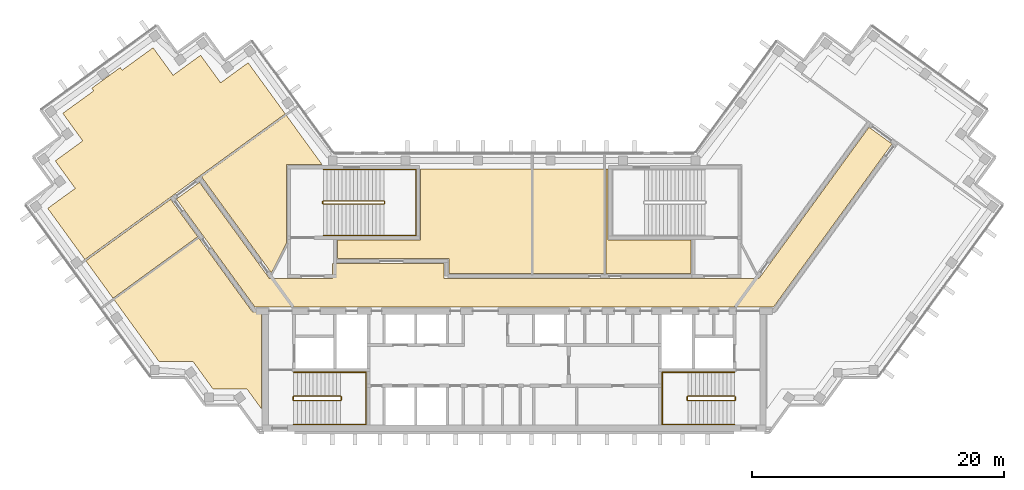
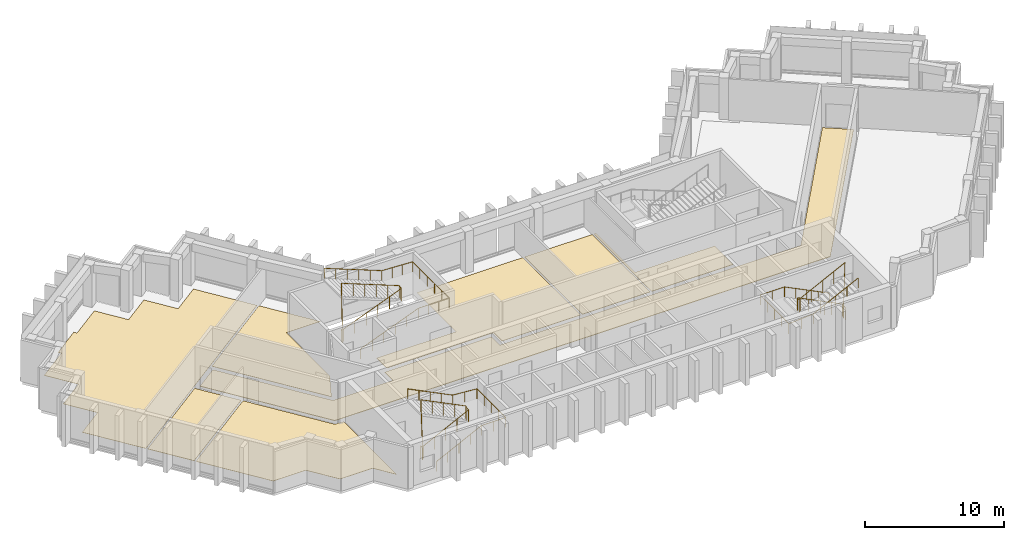
# One storey, part 8 of 9: 8 coverings, 6 railings.
"""IFC4 building model written with IfcOpenShell, lengths in metres."""

from ifc_helpers import new_model, si_unit, direction, frame, origin, origin_2d, place, context, subcontext, project, spatial, polyline, circle, outline, extrude, material, layer, layer_set, type_object, element, save


model = new_model("IFC4")

# Units and contexts
model_context = context("Model", 3, precision=1e-05, world=origin(), true_north=direction((0.0, 1.0)))
body_context = subcontext(model_context, "Body", "Model", "MODEL_VIEW")
ifc_project = project(units=[si_unit("LENGTHUNIT", "METRE"), si_unit("AREAUNIT", "SQUARE_METRE"), si_unit("VOLUMEUNIT", "CUBIC_METRE"), si_unit("PLANEANGLEUNIT", "RADIAN"), si_unit("MASSUNIT", "GRAM", prefix="KILO")], contexts=[model_context])

# Site, building, storey
site_placement = place(None, origin())
site = spatial("IfcSite", under=ifc_project, at=site_placement, CompositionType="ELEMENT")
building_placement = place(site_placement, origin())
building = spatial("IfcBuilding", under=site, at=building_placement, Name="Quipu Civic Tower", CompositionType="ELEMENT")
storey_placement = place(building_placement, frame((0.0, 0.0, 293.0)))
storey = spatial("IfcBuildingStorey", under=building, at=storey_placement, Name="L68", CompositionType="ELEMENT", Elevation=293.0)

# Coverings
ifc_material_1 = material(Name="Carpet tile on raised access floor")
ifc_layer_1 = layer(ifc_material_1, 0.02001953125)
ifc_layer_set_1 = layer_set([ifc_layer_1], Name="Carpet tile on raised access floor")
covering_type_1 = type_object("IfcCoveringType", Name="Carpet tile floor finish 20", PredefinedType="FLOORING", material=ifc_layer_set_1)
covering_1_placement = place(storey_placement, origin())
element("IfcCovering", 1, at=covering_1_placement, inside=storey, type_object=covering_type_1, Name="Carpet tile floor finish 20", PredefinedType="FLOORING", context=body_context, shape_type="SweptSolid", body=[
    extrude(outline(polyline([(-24.81201171875, 9.2109375), (-18.089111328125, 14.093994140625), (-15.238037109375, 10.169921875), (-18.070068359375, 10.1689453125), (-18.070068359375, 3.94189453125), (-19.27197265625, 1.583984375), (-24.81201171875, 9.2109375)])), origin(), (0.0, 0.0, 1.0), 0.02001953125),
])
covering_2_placement = place(storey_placement, origin())
element("IfcCovering", 2, at=covering_2_placement, inside=storey, type_object=covering_type_1, Name="Carpet tile floor finish 20", PredefinedType="FLOORING", context=body_context, shape_type="SweptSolid", body=[
    extrude(outline(polyline([(-31.758056640625, -0.5390625), (-25.034912109375, 4.344970703125), (-20.77490234375, -1.51904296875), (-20.070068359375, -1.52001953125), (-20.070068359375, -9.195068359375), (-21.196044921875, -7.64599609375), (-23.89501953125, -7.64599609375), (-25.48193359375, -5.4619140625), (-28.181884765625, -5.4609375), (-31.758056640625, -0.5390625)])), origin(), (0.0, 0.0, 1.0), 0.02001953125),
])
covering_3_placement = place(storey_placement, origin())
element("IfcCovering", 3, at=covering_3_placement, inside=storey, type_object=covering_type_1, Name="Carpet tile floor finish 20", PredefinedType="FLOORING", context=body_context, shape_type="SweptSolid", body=[
    extrude(outline(polyline([(-14.030029296875, 2.719970703125), (-14.030029296875, 4.179931640625), (-7.430908203125, 4.180908203125), (-7.429931640625, 9.830078125), (1.368896484375, 9.830078125), (1.368896484375, 1.52001953125), (-5.179931640625, 1.52001953125), (-5.181884765625, 2.719970703125), (-14.030029296875, 2.719970703125)])), origin(), (0.0, 0.0, 1.0), 0.02001953125),
])
covering_4_placement = place(storey_placement, origin())
element("IfcCovering", 4, at=covering_4_placement, inside=storey, type_object=covering_type_1, Name="Carpet tile floor finish 20", PredefinedType="FLOORING", context=body_context, shape_type="SweptSolid", body=[
    extrude(outline(polyline([(-37.02197265625, 6.7060546875), (-34.839111328125, 8.291015625), (-36.425048828125, 10.47607421875), (-34.240966796875, 12.06396484375), (-35.826904296875, 14.248046875), (-33.3701171875, 16.032958984375), (-33.52197265625, 16.2451171875), (-31.27099609375, 17.8798828125), (-31.116943359375, 17.6708984375), (-28.658935546875, 19.455078125), (-27.073974609375, 17.27197265625), (-24.887939453125, 18.85791015625), (-23.301025390625, 16.675048828125), (-21.116943359375, 18.260986328125), (-18.172119140625, 14.20703125), (-34.077880859375, 2.652099609375), (-37.02197265625, 6.7060546875)])), origin(), (0.0, 0.0, 1.0), 0.02001953125),
])
ifc_material_2 = material(Name="Ceramic floor tile")
ifc_layer_2 = layer(ifc_material_2, 0.030029296875)
ifc_layer_set_2 = layer_set([ifc_layer_2], Name="Ceramic floor tile")
covering_type_2 = type_object("IfcCoveringType", Name="Ceramic tile floor finish 30", PredefinedType="FLOORING", material=ifc_layer_set_2)
covering_5_placement = place(storey_placement, origin())
element("IfcCovering", 5, at=covering_5_placement, inside=storey, type_object=covering_type_2, Name="Ceramic tile floor finish 30", PredefinedType="FLOORING", context=body_context, shape_type="SweptSolid", body=[
    extrude(outline(polyline([(1.510009765625, 9.830078125), (7.1279296875, 9.830078125), (7.1279296875, 1.52001953125), (1.510009765625, 1.52001953125), (1.510009765625, 9.830078125)])), origin(), (0.0, 0.0, 1.0), 0.030029296875),
])
covering_6_placement = place(storey_placement, origin())
element("IfcCovering", 6, at=covering_6_placement, inside=storey, type_object=covering_type_2, Name="Ceramic tile floor finish 30", PredefinedType="FLOORING", context=body_context, shape_type="SweptSolid", body=[
    extrude(outline(polyline([(7.26806640625, 1.52001953125), (7.26806640625, 9.830078125), (7.429931640625, 9.830078125), (7.429931640625, 4.180908203125), (14.030029296875, 4.179931640625), (14.030029296875, 1.52001953125), (7.26806640625, 1.52001953125)])), origin(), (0.0, 0.0, 1.0), 0.030029296875),
])
covering_7_placement = place(storey_placement, origin())
element("IfcCovering", 7, at=covering_7_placement, inside=storey, type_object=covering_type_2, Name="Ceramic tile floor finish 30", PredefinedType="FLOORING", context=body_context, shape_type="SweptSolid", body=[
    extrude(outline(polyline([(-33.9951171875, 2.5390625), (-27.27197265625, 7.423095703125), (-25.117919921875, 4.4580078125), (-31.841064453125, -0.426025390625), (-33.9951171875, 2.5390625)])), origin(), (0.0, 0.0, 1.0), 0.030029296875),
])

# Railings
ifc_material_3 = material(Name="Stainless steel", Category="steel")
railing_type_1 = type_object("IfcRailingType", Name="Stair guard 1100", PredefinedType="GUARDRAIL", material=ifc_material_3)
railing_1_placement = place(storey_placement, frame((-17.5, -8.550048828125, 0.15380859375)))
element("IfcRailing", 8, at=railing_1_placement, inside=storey, type_object=railing_type_1, Name="Stair 1 guard", PredefinedType="GUARDRAIL", context=body_context, shape_type="SweptSolid", body=[
    extrude(circle(Radius=0.02392578125, at=origin_2d()), frame((0.0, 0.0, 1.076171875), z_axis=(0.895751851347, 0.0, 0.444554407028), x_axis=(0.0, 1.0, 0.0)), (0.0, 0.0, 1.0), 4.15283203125),
    extrude(circle(Radius=0.02392578125, at=origin_2d()), frame((3.719970703125, 0.0, 2.92236328125), z_axis=(0.707106781187, 0.707106781187, 0.0), x_axis=(-0.707106781187, 0.707106781187, 0.0)), (0.0, 0.0, 1.0), 0.07080078125),
    extrude(circle(Radius=0.02392578125, at=origin_2d()), frame((3.77001953125, 0.050048828125, 2.92236328125), z_axis=(0.0, 1.0, 0.0), x_axis=(-1.0, 0.0, 0.0)), (0.0, 0.0, 1.0), 0.25),
    extrude(circle(Radius=0.02392578125, at=origin_2d()), frame((3.77001953125, 0.300048828125, 2.92236328125), z_axis=(-0.295599637079, 0.295599637079, 0.908428152975), x_axis=(-0.707106781187, -0.707106781187, 0.0)), (0.0, 0.0, 1.0), 0.16943359375),
    extrude(circle(Radius=0.02392578125, at=origin_2d()), frame((3.719970703125, 0.35009765625, 3.076171875), z_axis=(-0.895751851347, 0.0, 0.444554407028), x_axis=(0.0, -1.0, 0.0)), (0.0, 0.0, 1.0), 4.15283203125),
    extrude(circle(Radius=0.02392578125, at=origin_2d()), frame((0.0, 0.35009765625, 4.92236328125), z_axis=(-0.012476181752, -0.074796231092, -0.997120789425), x_axis=(0.986372223864, -0.164529134168, 0.0)), (0.0, 0.0, 1.0), 4.011474609375),
    extrude(circle(Radius=0.02392578125, at=origin_2d()), frame((-0.050048828125, 0.050048828125, 0.92236328125), z_axis=(0.0, 1.0, 0.0), x_axis=(-1.0, 0.0, 0.0)), (0.0, 0.0, 1.0), 0.25),
    extrude(circle(Radius=0.02099609375, at=origin_2d()), origin(), (0.0, 0.0, 1.0), 1.052001953125),
    extrude(circle(Radius=0.02099609375, at=origin_2d()), frame((0.929931640625, 0.0, 0.46142578125)), (0.0, 0.0, 1.0), 1.052001953125),
    extrude(circle(Radius=0.02099609375, at=origin_2d()), frame((1.85986328125, 0.0, 0.923095703125)), (0.0, 0.0, 1.0), 1.052001953125),
    extrude(circle(Radius=0.02099609375, at=origin_2d()), frame((2.7900390625, 0.0, 1.384765625)), (0.0, 0.0, 1.0), 1.052001953125),
    extrude(circle(Radius=0.02099609375, at=origin_2d()), frame((3.719970703125, 0.0, 1.84619140625)), (0.0, 0.0, 1.0), 1.052001953125),
    extrude(circle(Radius=0.02099609375, at=origin_2d()), frame((3.77001953125, 0.050048828125, 1.84619140625)), (0.0, 0.0, 1.0), 1.052001953125),
    extrude(circle(Radius=0.02099609375, at=origin_2d()), frame((3.77001953125, 0.300048828125, 1.84619140625)), (0.0, 0.0, 1.0), 1.052001953125),
    extrude(circle(Radius=0.02099609375, at=origin_2d()), frame((3.719970703125, 0.35009765625, 2.0)), (0.0, 0.0, 1.0), 1.052001953125),
    extrude(circle(Radius=0.02099609375, at=origin_2d()), frame((2.7900390625, 0.35009765625, 2.46142578125)), (0.0, 0.0, 1.0), 1.052001953125),
    extrude(circle(Radius=0.02099609375, at=origin_2d()), frame((1.85986328125, 0.35009765625, 2.923095703125)), (0.0, 0.0, 1.0), 1.052001953125),
    extrude(circle(Radius=0.02099609375, at=origin_2d()), frame((0.929931640625, 0.35009765625, 3.384765625)), (0.0, 0.0, 1.0), 1.052001953125),
    extrude(circle(Radius=0.02099609375, at=origin_2d()), frame((0.0, 0.35009765625, 3.84619140625)), (0.0, 0.0, 1.0), 1.052001953125),
    extrude(circle(Radius=0.02099609375, at=origin_2d()), frame((-0.012451171875, 0.275146484375, 2.84619140625)), (0.0, 0.0, 1.0), 1.052001953125),
    extrude(circle(Radius=0.02099609375, at=origin_2d()), frame((-0.02490234375, 0.2001953125, 1.84619140625)), (0.0, 0.0, 1.0), 1.052001953125),
    extrude(circle(Radius=0.02099609375, at=origin_2d()), frame((-0.03759765625, 0.125, 0.84619140625)), (0.0, 0.0, 1.0), 1.052001953125),
    extrude(circle(Radius=0.02099609375, at=origin_2d()), frame((-0.050048828125, 0.050048828125, -0.15380859375)), (0.0, 0.0, 1.0), 1.052001953125),
    extrude(circle(Radius=0.02099609375, at=origin_2d()), frame((-0.050048828125, 0.300048828125, -0.15380859375)), (0.0, 0.0, 1.0), 1.052001953125),
])
railing_2_placement = place(storey_placement, frame((17.5, -8.199951171875, 0.15380859375)))
element("IfcRailing", 9, at=railing_2_placement, inside=storey, type_object=railing_type_1, Name="Stair 2 guard", PredefinedType="GUARDRAIL", context=body_context, shape_type="SweptSolid", body=[
    extrude(circle(Radius=0.02392578125, at=origin_2d()), frame((0.0, 0.0, 1.076171875), z_axis=(-0.895751851347, 0.0, 0.444554407028), x_axis=(0.0, -1.0, 0.0)), (0.0, 0.0, 1.0), 4.15283203125),
    extrude(circle(Radius=0.02392578125, at=origin_2d()), frame((-3.719970703125, 0.0, 2.92236328125), z_axis=(-0.707106781187, -0.707106781187, 0.0), x_axis=(0.707106781187, -0.707106781187, 0.0)), (0.0, 0.0, 1.0), 0.07080078125),
    extrude(circle(Radius=0.02392578125, at=origin_2d()), frame((-3.77001953125, -0.050048828125, 2.92236328125), z_axis=(0.0, -1.0, 0.0), x_axis=(1.0, 0.0, 0.0)), (0.0, 0.0, 1.0), 0.25),
    extrude(circle(Radius=0.02392578125, at=origin_2d()), frame((-3.77001953125, -0.300048828125, 2.92236328125), z_axis=(0.295599637079, -0.295599637079, 0.908428152975), x_axis=(0.707106781187, 0.707106781187, 0.0)), (0.0, 0.0, 1.0), 0.16943359375),
    extrude(circle(Radius=0.02392578125, at=origin_2d()), frame((-3.719970703125, -0.35009765625, 3.076171875), z_axis=(0.895751851347, 0.0, 0.444554407028), x_axis=(0.0, 1.0, 0.0)), (0.0, 0.0, 1.0), 4.15283203125),
    extrude(circle(Radius=0.02392578125, at=origin_2d()), frame((0.0, -0.35009765625, 4.92236328125), z_axis=(0.012476181752, 0.074796231092, -0.997120789425), x_axis=(-0.986372223864, 0.164529134168, 0.0)), (0.0, 0.0, 1.0), 4.011474609375),
    extrude(circle(Radius=0.02392578125, at=origin_2d()), frame((0.050048828125, -0.050048828125, 0.92236328125), z_axis=(0.0, -1.0, 0.0), x_axis=(1.0, 0.0, 0.0)), (0.0, 0.0, 1.0), 0.25),
    extrude(circle(Radius=0.02099609375, at=origin_2d()), origin(), (0.0, 0.0, 1.0), 1.052001953125),
    extrude(circle(Radius=0.02099609375, at=origin_2d()), frame((-0.929931640625, 0.0, 0.46142578125)), (0.0, 0.0, 1.0), 1.052001953125),
    extrude(circle(Radius=0.02099609375, at=origin_2d()), frame((-1.85986328125, 0.0, 0.923095703125)), (0.0, 0.0, 1.0), 1.052001953125),
    extrude(circle(Radius=0.02099609375, at=origin_2d()), frame((-2.7900390625, 0.0, 1.384765625)), (0.0, 0.0, 1.0), 1.052001953125),
    extrude(circle(Radius=0.02099609375, at=origin_2d()), frame((-3.719970703125, 0.0, 1.84619140625)), (0.0, 0.0, 1.0), 1.052001953125),
    extrude(circle(Radius=0.02099609375, at=origin_2d()), frame((-3.77001953125, -0.050048828125, 1.84619140625)), (0.0, 0.0, 1.0), 1.052001953125),
    extrude(circle(Radius=0.02099609375, at=origin_2d()), frame((-3.77001953125, -0.300048828125, 1.84619140625)), (0.0, 0.0, 1.0), 1.052001953125),
    extrude(circle(Radius=0.02099609375, at=origin_2d()), frame((-3.719970703125, -0.35009765625, 2.0)), (0.0, 0.0, 1.0), 1.052001953125),
    extrude(circle(Radius=0.02099609375, at=origin_2d()), frame((-2.7900390625, -0.35009765625, 2.46142578125)), (0.0, 0.0, 1.0), 1.052001953125),
    extrude(circle(Radius=0.02099609375, at=origin_2d()), frame((-1.85986328125, -0.35009765625, 2.923095703125)), (0.0, 0.0, 1.0), 1.052001953125),
    extrude(circle(Radius=0.02099609375, at=origin_2d()), frame((-0.929931640625, -0.35009765625, 3.384765625)), (0.0, 0.0, 1.0), 1.052001953125),
    extrude(circle(Radius=0.02099609375, at=origin_2d()), frame((0.0, -0.35009765625, 3.84619140625)), (0.0, 0.0, 1.0), 1.052001953125),
    extrude(circle(Radius=0.02099609375, at=origin_2d()), frame((0.012451171875, -0.275146484375, 2.84619140625)), (0.0, 0.0, 1.0), 1.052001953125),
    extrude(circle(Radius=0.02099609375, at=origin_2d()), frame((0.02490234375, -0.2001953125, 1.84619140625)), (0.0, 0.0, 1.0), 1.052001953125),
    extrude(circle(Radius=0.02099609375, at=origin_2d()), frame((0.03759765625, -0.125, 0.84619140625)), (0.0, 0.0, 1.0), 1.052001953125),
    extrude(circle(Radius=0.02099609375, at=origin_2d()), frame((0.050048828125, -0.050048828125, -0.15380859375)), (0.0, 0.0, 1.0), 1.052001953125),
    extrude(circle(Radius=0.02099609375, at=origin_2d()), frame((0.050048828125, -0.300048828125, -0.15380859375)), (0.0, 0.0, 1.0), 1.052001953125),
])
railing_3_placement = place(storey_placement, frame((-15.14990234375, 7.050048828125, 0.11767578125)))
element("IfcRailing", 10, at=railing_3_placement, inside=storey, type_object=railing_type_1, Name="Stair 3 guard", PredefinedType="GUARDRAIL", context=body_context, shape_type="SweptSolid", body=[
    extrude(circle(Radius=0.02392578125, at=origin_2d()), frame((0.0, 0.0, 1.076171875), z_axis=(0.930970042603, 0.0, 0.365095576219), x_axis=(0.0, 1.0, 0.0)), (0.0, 0.0, 1.0), 5.15576171875),
    extrude(circle(Radius=0.02392578125, at=origin_2d()), frame((4.7998046875, 0.0, 2.95849609375), z_axis=(0.707106781187, 0.707106781187, 0.0), x_axis=(-0.707106781187, 0.707106781187, 0.0)), (0.0, 0.0, 1.0), 0.07080078125),
    extrude(circle(Radius=0.02392578125, at=origin_2d()), frame((4.849853515625, 0.050048828125, 2.95849609375), z_axis=(0.0, 1.0, 0.0), x_axis=(-1.0, 0.0, 0.0)), (0.0, 0.0, 1.0), 0.14990234375),
    extrude(circle(Radius=0.02392578125, at=origin_2d()), frame((4.849853515625, 0.199951171875, 2.95849609375), z_axis=(-0.364463019033, 0.364463019033, 0.856932561824), x_axis=(-0.707106781187, -0.707106781187, 0.0)), (0.0, 0.0, 1.0), 0.13720703125),
    extrude(circle(Radius=0.02392578125, at=origin_2d()), frame((4.7998046875, 0.25, 3.076171875), z_axis=(-0.930970042603, 0.0, 0.365095576219), x_axis=(0.0, -1.0, 0.0)), (0.0, 0.0, 1.0), 5.15576171875),
    extrude(circle(Radius=0.02392578125, at=origin_2d()), frame((0.0, 0.25, 4.95849609375), z_axis=(-0.012495627992, -0.049921557685, -0.998674970829), x_axis=(0.970072785993, -0.242814311512, 0.0)), (0.0, 0.0, 1.0), 4.00537109375),
    extrude(circle(Radius=0.02392578125, at=origin_2d()), frame((-0.050048828125, 0.050048828125, 0.95849609375), z_axis=(0.0, 1.0, 0.0), x_axis=(-1.0, 0.0, 0.0)), (0.0, 0.0, 1.0), 0.14990234375),
    extrude(circle(Radius=0.02099609375, at=origin_2d()), origin(), (0.0, 0.0, 1.0), 1.052001953125),
    extrude(circle(Radius=0.02099609375, at=origin_2d()), frame((0.9599609375, 0.0, 0.37646484375)), (0.0, 0.0, 1.0), 1.052001953125),
    extrude(circle(Radius=0.02099609375, at=origin_2d()), frame((1.919921875, 0.0, 0.7529296875)), (0.0, 0.0, 1.0), 1.052001953125),
    extrude(circle(Radius=0.02099609375, at=origin_2d()), frame((2.8798828125, 0.0, 1.12939453125)), (0.0, 0.0, 1.0), 1.052001953125),
    extrude(circle(Radius=0.02099609375, at=origin_2d()), frame((3.83984375, 0.0, 1.505859375)), (0.0, 0.0, 1.0), 1.052001953125),
    extrude(circle(Radius=0.02099609375, at=origin_2d()), frame((4.7998046875, 0.0, 1.88232421875)), (0.0, 0.0, 1.0), 1.052001953125),
    extrude(circle(Radius=0.02099609375, at=origin_2d()), frame((4.849853515625, 0.050048828125, 1.88232421875)), (0.0, 0.0, 1.0), 1.052001953125),
    extrude(circle(Radius=0.02099609375, at=origin_2d()), frame((4.849853515625, 0.199951171875, 1.88232421875)), (0.0, 0.0, 1.0), 1.052001953125),
    extrude(circle(Radius=0.02099609375, at=origin_2d()), frame((4.7998046875, 0.25, 2.0)), (0.0, 0.0, 1.0), 1.052001953125),
    extrude(circle(Radius=0.02099609375, at=origin_2d()), frame((3.83984375, 0.25, 2.37646484375)), (0.0, 0.0, 1.0), 1.052001953125),
    extrude(circle(Radius=0.02099609375, at=origin_2d()), frame((2.8798828125, 0.25, 2.7529296875)), (0.0, 0.0, 1.0), 1.052001953125),
    extrude(circle(Radius=0.02099609375, at=origin_2d()), frame((1.919921875, 0.25, 3.12939453125)), (0.0, 0.0, 1.0), 1.052001953125),
    extrude(circle(Radius=0.02099609375, at=origin_2d()), frame((0.9599609375, 0.25, 3.505859375)), (0.0, 0.0, 1.0), 1.052001953125),
    extrude(circle(Radius=0.02099609375, at=origin_2d()), frame((0.0, 0.25, 3.88232421875)), (0.0, 0.0, 1.0), 1.052001953125),
    extrude(circle(Radius=0.02099609375, at=origin_2d()), frame((-0.012451171875, 0.199951171875, 2.88232421875)), (0.0, 0.0, 1.0), 1.052001953125),
    extrude(circle(Radius=0.02099609375, at=origin_2d()), frame((-0.02490234375, 0.14990234375, 1.88232421875)), (0.0, 0.0, 1.0), 1.052001953125),
    extrude(circle(Radius=0.02099609375, at=origin_2d()), frame((-0.03759765625, 0.10009765625, 0.88232421875)), (0.0, 0.0, 1.0), 1.052001953125),
    extrude(circle(Radius=0.02099609375, at=origin_2d()), frame((-0.050048828125, 0.050048828125, -0.11767578125)), (0.0, 0.0, 1.0), 1.052001953125),
    extrude(circle(Radius=0.02099609375, at=origin_2d()), frame((-0.050048828125, 0.199951171875, -0.11767578125)), (0.0, 0.0, 1.0), 1.052001953125),
])
ifc_material_4 = material(Name="Stainless steel", Category="steel")
railing_type_2 = type_object("IfcRailingType", Name="Stair handrail", PredefinedType="HANDRAIL", material=ifc_material_4)
railing_4_placement = place(storey_placement, frame((-17.5, -10.449951171875, 0.15380859375)))
element("IfcRailing", 11, at=railing_4_placement, inside=storey, type_object=railing_type_2, Name="Stair 1 handrail", PredefinedType="HANDRAIL", context=body_context, shape_type="SweptSolid", body=[
    extrude(circle(Radius=0.02392578125, at=origin_2d()), frame((0.0, 0.0, 0.8759765625), z_axis=(0.895751851347, 0.0, 0.444554407028), x_axis=(0.0, 1.0, 0.0)), (0.0, 0.0, 1.0), 4.15283203125),
    extrude(circle(Radius=0.02392578125, at=origin_2d()), frame((3.719970703125, 0.0, 2.72216796875), z_axis=(1.0, 0.0, 0.0), x_axis=(0.0, 1.0, 0.0)), (0.0, 0.0, 1.0), 2.030029296875),
    extrude(circle(Radius=0.02392578125, at=origin_2d()), frame((5.75, 0.0, 2.72216796875), z_axis=(0.0, 1.0, 0.0), x_axis=(-1.0, 0.0, 0.0)), (0.0, 0.0, 1.0), 4.14990234375),
    extrude(circle(Radius=0.02392578125, at=origin_2d()), frame((5.75, 4.14990234375, 2.72216796875), z_axis=(-0.997142003663, 0.0, 0.075550145798), x_axis=(0.0, -1.0, 0.0)), (0.0, 0.0, 1.0), 2.035888671875),
    extrude(circle(Radius=0.02392578125, at=origin_2d()), frame((3.719970703125, 4.14990234375, 2.8759765625), z_axis=(-0.895751851347, 0.0, 0.444554407028), x_axis=(0.0, -1.0, 0.0)), (0.0, 0.0, 1.0), 4.15283203125),
    extrude(circle(Radius=0.02099609375, at=origin_2d()), origin(), (0.0, 0.0, 1.0), 0.851806640625),
    extrude(circle(Radius=0.02099609375, at=origin_2d()), frame((0.929931640625, 0.0, 0.46142578125)), (0.0, 0.0, 1.0), 0.851806640625),
    extrude(circle(Radius=0.02099609375, at=origin_2d()), frame((1.85986328125, 0.0, 0.923095703125)), (0.0, 0.0, 1.0), 0.851806640625),
    extrude(circle(Radius=0.02099609375, at=origin_2d()), frame((2.7900390625, 0.0, 1.384765625)), (0.0, 0.0, 1.0), 0.851806640625),
    extrude(circle(Radius=0.02099609375, at=origin_2d()), frame((3.719970703125, 0.0, 1.84619140625)), (0.0, 0.0, 1.0), 0.851806640625),
    extrude(circle(Radius=0.02099609375, at=origin_2d()), frame((4.73486328125, 0.0, 1.84619140625)), (0.0, 0.0, 1.0), 0.851806640625),
    extrude(circle(Radius=0.02099609375, at=origin_2d()), frame((5.75, 0.0, 1.84619140625)), (0.0, 0.0, 1.0), 0.851806640625),
    extrude(circle(Radius=0.02099609375, at=origin_2d()), frame((5.75, 1.03759765625, 1.84619140625)), (0.0, 0.0, 1.0), 0.851806640625),
    extrude(circle(Radius=0.02099609375, at=origin_2d()), frame((5.75, 2.074951171875, 1.84619140625)), (0.0, 0.0, 1.0), 0.851806640625),
    extrude(circle(Radius=0.02099609375, at=origin_2d()), frame((5.75, 3.1123046875, 1.84619140625)), (0.0, 0.0, 1.0), 0.851806640625),
    extrude(circle(Radius=0.02099609375, at=origin_2d()), frame((5.75, 4.14990234375, 1.84619140625)), (0.0, 0.0, 1.0), 0.851806640625),
    extrude(circle(Radius=0.02099609375, at=origin_2d()), frame((4.73486328125, 4.14990234375, 1.923095703125)), (0.0, 0.0, 1.0), 0.851806640625),
    extrude(circle(Radius=0.02099609375, at=origin_2d()), frame((3.719970703125, 4.14990234375, 2.0)), (0.0, 0.0, 1.0), 0.851806640625),
    extrude(circle(Radius=0.02099609375, at=origin_2d()), frame((2.7900390625, 4.14990234375, 2.46142578125)), (0.0, 0.0, 1.0), 0.851806640625),
    extrude(circle(Radius=0.02099609375, at=origin_2d()), frame((1.85986328125, 4.14990234375, 2.923095703125)), (0.0, 0.0, 1.0), 0.851806640625),
    extrude(circle(Radius=0.02099609375, at=origin_2d()), frame((0.929931640625, 4.14990234375, 3.384765625)), (0.0, 0.0, 1.0), 0.851806640625),
    extrude(circle(Radius=0.02099609375, at=origin_2d()), frame((0.0, 4.14990234375, 3.84619140625)), (0.0, 0.0, 1.0), 0.851806640625),
])
railing_5_placement = place(storey_placement, frame((17.5, -6.300048828125, 0.15380859375)))
element("IfcRailing", 12, at=railing_5_placement, inside=storey, type_object=railing_type_2, Name="Stair 2 handrail", PredefinedType="HANDRAIL", context=body_context, shape_type="SweptSolid", body=[
    extrude(circle(Radius=0.02392578125, at=origin_2d()), frame((0.0, 0.0, 0.8759765625), z_axis=(-0.895751851347, 0.0, 0.444554407028), x_axis=(0.0, -1.0, 0.0)), (0.0, 0.0, 1.0), 4.15283203125),
    extrude(circle(Radius=0.02392578125, at=origin_2d()), frame((-3.719970703125, 0.0, 2.72216796875), z_axis=(-1.0, 0.0, 0.0), x_axis=(0.0, -1.0, 0.0)), (0.0, 0.0, 1.0), 2.030029296875),
    extrude(circle(Radius=0.02392578125, at=origin_2d()), frame((-5.75, 0.0, 2.72216796875), z_axis=(0.0, -1.0, 0.0), x_axis=(1.0, 0.0, 0.0)), (0.0, 0.0, 1.0), 4.14990234375),
    extrude(circle(Radius=0.02392578125, at=origin_2d()), frame((-5.75, -4.14990234375, 2.72216796875), z_axis=(0.997142003663, 0.0, 0.075550145798), x_axis=(0.0, 1.0, 0.0)), (0.0, 0.0, 1.0), 2.035888671875),
    extrude(circle(Radius=0.02392578125, at=origin_2d()), frame((-3.719970703125, -4.14990234375, 2.8759765625), z_axis=(0.895751851347, 0.0, 0.444554407028), x_axis=(0.0, 1.0, 0.0)), (0.0, 0.0, 1.0), 4.15283203125),
    extrude(circle(Radius=0.02099609375, at=origin_2d()), origin(), (0.0, 0.0, 1.0), 0.851806640625),
    extrude(circle(Radius=0.02099609375, at=origin_2d()), frame((-0.929931640625, 0.0, 0.46142578125)), (0.0, 0.0, 1.0), 0.851806640625),
    extrude(circle(Radius=0.02099609375, at=origin_2d()), frame((-1.85986328125, 0.0, 0.923095703125)), (0.0, 0.0, 1.0), 0.851806640625),
    extrude(circle(Radius=0.02099609375, at=origin_2d()), frame((-2.7900390625, 0.0, 1.384765625)), (0.0, 0.0, 1.0), 0.851806640625),
    extrude(circle(Radius=0.02099609375, at=origin_2d()), frame((-3.719970703125, 0.0, 1.84619140625)), (0.0, 0.0, 1.0), 0.851806640625),
    extrude(circle(Radius=0.02099609375, at=origin_2d()), frame((-4.73486328125, 0.0, 1.84619140625)), (0.0, 0.0, 1.0), 0.851806640625),
    extrude(circle(Radius=0.02099609375, at=origin_2d()), frame((-5.75, 0.0, 1.84619140625)), (0.0, 0.0, 1.0), 0.851806640625),
    extrude(circle(Radius=0.02099609375, at=origin_2d()), frame((-5.75, -1.03759765625, 1.84619140625)), (0.0, 0.0, 1.0), 0.851806640625),
    extrude(circle(Radius=0.02099609375, at=origin_2d()), frame((-5.75, -2.074951171875, 1.84619140625)), (0.0, 0.0, 1.0), 0.851806640625),
    extrude(circle(Radius=0.02099609375, at=origin_2d()), frame((-5.75, -3.1123046875, 1.84619140625)), (0.0, 0.0, 1.0), 0.851806640625),
    extrude(circle(Radius=0.02099609375, at=origin_2d()), frame((-5.75, -4.14990234375, 1.84619140625)), (0.0, 0.0, 1.0), 0.851806640625),
    extrude(circle(Radius=0.02099609375, at=origin_2d()), frame((-4.73486328125, -4.14990234375, 1.923095703125)), (0.0, 0.0, 1.0), 0.851806640625),
    extrude(circle(Radius=0.02099609375, at=origin_2d()), frame((-3.719970703125, -4.14990234375, 2.0)), (0.0, 0.0, 1.0), 0.851806640625),
    extrude(circle(Radius=0.02099609375, at=origin_2d()), frame((-2.7900390625, -4.14990234375, 2.46142578125)), (0.0, 0.0, 1.0), 0.851806640625),
    extrude(circle(Radius=0.02099609375, at=origin_2d()), frame((-1.85986328125, -4.14990234375, 2.923095703125)), (0.0, 0.0, 1.0), 0.851806640625),
    extrude(circle(Radius=0.02099609375, at=origin_2d()), frame((-0.929931640625, -4.14990234375, 3.384765625)), (0.0, 0.0, 1.0), 0.851806640625),
    extrude(circle(Radius=0.02099609375, at=origin_2d()), frame((0.0, -4.14990234375, 3.84619140625)), (0.0, 0.0, 1.0), 0.851806640625),
])
railing_6_placement = place(storey_placement, frame((-15.14990234375, 4.550048828125, 0.11767578125)))
element("IfcRailing", 13, at=railing_6_placement, inside=storey, type_object=railing_type_2, Name="Stair 3 handrail", PredefinedType="HANDRAIL", context=body_context, shape_type="SweptSolid", body=[
    extrude(circle(Radius=0.02392578125, at=origin_2d()), frame((0.0, 0.0, 0.8759765625), z_axis=(0.930970042603, 0.0, 0.365095576219), x_axis=(0.0, 1.0, 0.0)), (0.0, 0.0, 1.0), 5.15576171875),
    extrude(circle(Radius=0.02392578125, at=origin_2d()), frame((4.7998046875, 0.0, 2.75830078125), z_axis=(1.0, 0.0, 0.0), x_axis=(0.0, 1.0, 0.0)), (0.0, 0.0, 1.0), 2.550048828125),
    extrude(circle(Radius=0.02392578125, at=origin_2d()), frame((7.349853515625, 0.0, 2.75830078125), z_axis=(0.0, 1.0, 0.0), x_axis=(-1.0, 0.0, 0.0)), (0.0, 0.0, 1.0), 5.25),
    extrude(circle(Radius=0.02392578125, at=origin_2d()), frame((7.349853515625, 5.25, 2.75830078125), z_axis=(-0.998936948642, 0.0, 0.04609742549), x_axis=(0.0, -1.0, 0.0)), (0.0, 0.0, 1.0), 2.552734375),
    extrude(circle(Radius=0.02392578125, at=origin_2d()), frame((4.7998046875, 5.25, 2.8759765625), z_axis=(-0.930970042603, 0.0, 0.365095576219), x_axis=(0.0, -1.0, 0.0)), (0.0, 0.0, 1.0), 5.15576171875),
    extrude(circle(Radius=0.02099609375, at=origin_2d()), origin(), (0.0, 0.0, 1.0), 0.851806640625),
    extrude(circle(Radius=0.02099609375, at=origin_2d()), frame((0.9599609375, 0.0, 0.37646484375)), (0.0, 0.0, 1.0), 0.851806640625),
    extrude(circle(Radius=0.02099609375, at=origin_2d()), frame((1.919921875, 0.0, 0.7529296875)), (0.0, 0.0, 1.0), 0.851806640625),
    extrude(circle(Radius=0.02099609375, at=origin_2d()), frame((2.8798828125, 0.0, 1.12939453125)), (0.0, 0.0, 1.0), 0.851806640625),
    extrude(circle(Radius=0.02099609375, at=origin_2d()), frame((3.83984375, 0.0, 1.505859375)), (0.0, 0.0, 1.0), 0.851806640625),
    extrude(circle(Radius=0.02099609375, at=origin_2d()), frame((4.7998046875, 0.0, 1.88232421875)), (0.0, 0.0, 1.0), 0.851806640625),
    extrude(circle(Radius=0.02099609375, at=origin_2d()), frame((5.64990234375, 0.0, 1.88232421875)), (0.0, 0.0, 1.0), 0.851806640625),
    extrude(circle(Radius=0.02099609375, at=origin_2d()), frame((6.499755859375, 0.0, 1.88232421875)), (0.0, 0.0, 1.0), 0.851806640625),
    extrude(circle(Radius=0.02099609375, at=origin_2d()), frame((7.349853515625, 0.0, 1.88232421875)), (0.0, 0.0, 1.0), 0.851806640625),
    extrude(circle(Radius=0.02099609375, at=origin_2d()), frame((7.349853515625, 1.050048828125, 1.88232421875)), (0.0, 0.0, 1.0), 0.851806640625),
    extrude(circle(Radius=0.02099609375, at=origin_2d()), frame((7.349853515625, 2.10009765625, 1.88232421875)), (0.0, 0.0, 1.0), 0.851806640625),
    extrude(circle(Radius=0.02099609375, at=origin_2d()), frame((7.349853515625, 3.14990234375, 1.88232421875)), (0.0, 0.0, 1.0), 0.851806640625),
    extrude(circle(Radius=0.02099609375, at=origin_2d()), frame((7.349853515625, 4.199951171875, 1.88232421875)), (0.0, 0.0, 1.0), 0.851806640625),
    extrude(circle(Radius=0.02099609375, at=origin_2d()), frame((7.349853515625, 5.25, 1.88232421875)), (0.0, 0.0, 1.0), 0.851806640625),
    extrude(circle(Radius=0.02099609375, at=origin_2d()), frame((6.499755859375, 5.25, 1.921630859375)), (0.0, 0.0, 1.0), 0.851806640625),
    extrude(circle(Radius=0.02099609375, at=origin_2d()), frame((5.64990234375, 5.25, 1.960693359375)), (0.0, 0.0, 1.0), 0.851806640625),
    extrude(circle(Radius=0.02099609375, at=origin_2d()), frame((4.7998046875, 5.25, 2.0)), (0.0, 0.0, 1.0), 0.851806640625),
    extrude(circle(Radius=0.02099609375, at=origin_2d()), frame((3.83984375, 5.25, 2.37646484375)), (0.0, 0.0, 1.0), 0.851806640625),
    extrude(circle(Radius=0.02099609375, at=origin_2d()), frame((2.8798828125, 5.25, 2.7529296875)), (0.0, 0.0, 1.0), 0.851806640625),
    extrude(circle(Radius=0.02099609375, at=origin_2d()), frame((1.919921875, 5.25, 3.12939453125)), (0.0, 0.0, 1.0), 0.851806640625),
    extrude(circle(Radius=0.02099609375, at=origin_2d()), frame((0.9599609375, 5.25, 3.505859375)), (0.0, 0.0, 1.0), 0.851806640625),
    extrude(circle(Radius=0.02099609375, at=origin_2d()), frame((0.0, 5.25, 3.88232421875)), (0.0, 0.0, 1.0), 0.851806640625),
])

# Covering
ifc_material_5 = material(Name="Terrazzo floor finish")
ifc_layer_3 = layer(ifc_material_5, 0.0400390625)
ifc_layer_set_3 = layer_set([ifc_layer_3], Name="Terrazzo floor finish")
covering_type_3 = type_object("IfcCoveringType", Name="Terrazzo floor finish 40", PredefinedType="FLOORING", material=ifc_layer_set_3)
covering_8_placement = place(storey_placement, origin())
element("IfcCovering", 14, at=covering_8_placement, inside=storey, type_object=covering_type_3, Name="Terrazzo floor finish 40", PredefinedType="FLOORING", context=body_context, shape_type="SweptSolid", body=[
    extrude(outline(polyline([(19.425048828125, 1.1298828125), (28.155029296875, 13.14697265625), (29.98291015625, 11.819091796875), (20.574951171875, -1.1298828125), (-20.574951171875, -1.1298828125), (-26.80908203125, 7.450927734375), (-24.98095703125, 8.778076171875), (-19.425048828125, 1.1298828125), (-14.429931640625, 1.1298828125), (-14.429931640625, 2.330078125), (-5.570068359375, 2.330078125), (-5.570068359375, 1.1298828125), (19.425048828125, 1.1298828125)])), origin(), (0.0, 0.0, 1.0), 0.0400390625),
])

save(model, "model.ifc")
